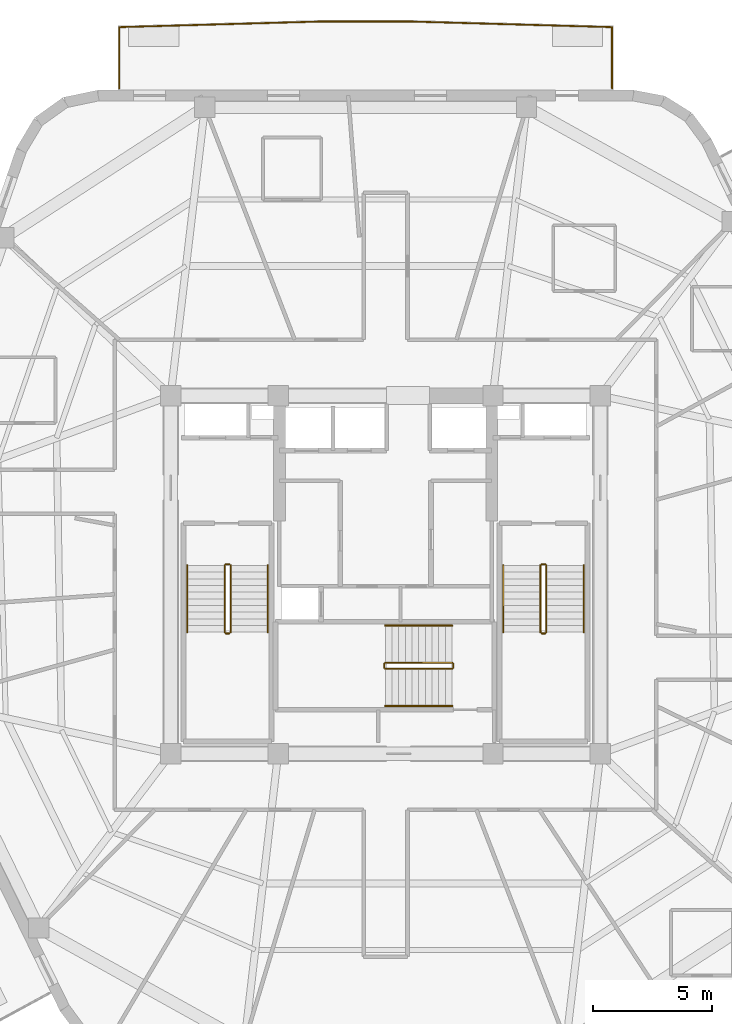
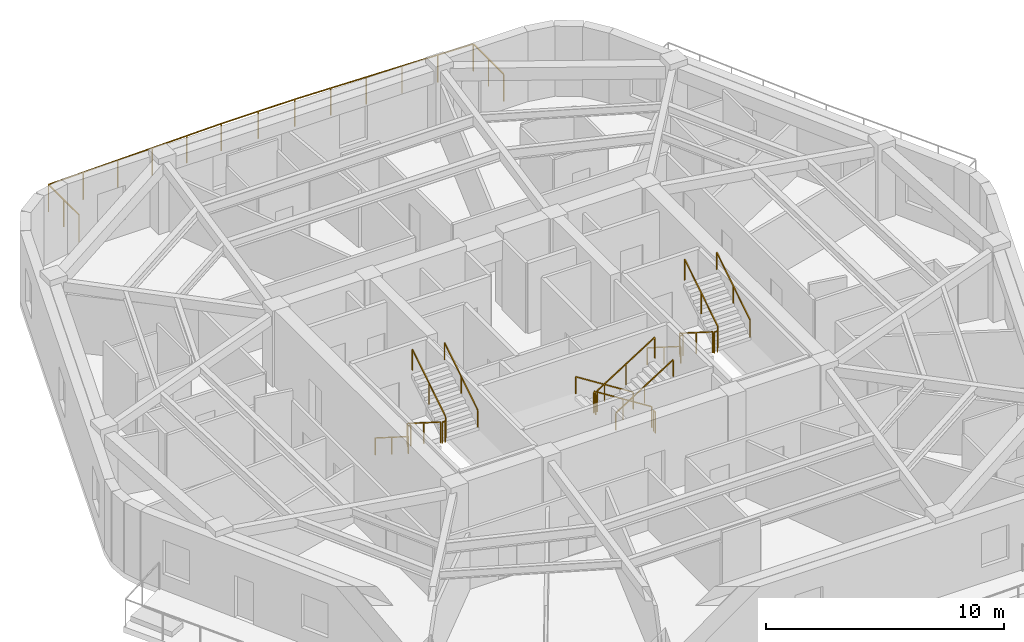
# One storey, part 8 of 9: 19 railings.
"""IFC4 building model written with IfcOpenShell, lengths in metres."""

from ifc_helpers import new_model, si_unit, direction, frame, origin, origin_2d, place, context, subcontext, project, spatial, rectangle, extrude, material, layer, layer_set, type_object, element, save


model = new_model("IFC4")

# Units and contexts
model_context = context("Model", 3, precision=1e-05, world=origin(), true_north=direction((0.0, 1.0)))
body_context = subcontext(model_context, "Body", "Model", "MODEL_VIEW")
ifc_project = project(units=[si_unit("LENGTHUNIT", "METRE"), si_unit("AREAUNIT", "SQUARE_METRE"), si_unit("VOLUMEUNIT", "CUBIC_METRE"), si_unit("PLANEANGLEUNIT", "RADIAN"), si_unit("MASSUNIT", "GRAM", prefix="KILO")], contexts=[model_context])

# Site, building, storey
site_placement = place(None, origin())
site = spatial("IfcSite", under=ifc_project, at=site_placement, CompositionType="ELEMENT")
building_placement = place(site_placement, origin())
building = spatial("IfcBuilding", under=site, at=building_placement, Name="Kilnhurst Terrace Hotel", CompositionType="ELEMENT")
storey_placement = place(building_placement, frame((0.0, 0.0, 280.800048828125)))
storey = spatial("IfcBuildingStorey", under=building, at=storey_placement, Name="L70", CompositionType="ELEMENT", Elevation=280.800048828125)

# Railings
ifc_material_1 = material(Name="Laminated SentryGlas and Stainless Steel AISI 316L Balustrade", Category="steel")
ifc_layer_1 = layer(ifc_material_1, 0.070068359375, Name="Laminated SentryGlas and Stainless Steel AISI 316L Balustrade")
ifc_layer_set_1 = layer_set([ifc_layer_1], Name="Laminated SentryGlas and Stainless Steel AISI 316L Balustrade")
railing_type_1 = type_object("IfcRailingType", Name="RLG-BAL-1420", PredefinedType="BALUSTRADE", material=ifc_layer_set_1)
railing_1_placement = place(storey_placement, frame((-11.151611328125, 20.3798828125, 0.0)))
element("IfcRailing", 1, at=railing_1_placement, inside=storey, type_object=railing_type_1, Name="L70 Exterior Terrace Guardrail BAL-L1B.1", PredefinedType="BALUSTRADE", context=body_context, shape_type="SweptSolid", body=[
    extrude(rectangle(XDim=0.048095703125, YDim=0.048095703125, at=origin_2d()), frame((0.0, 0.0, 1.39599609375), z_axis=(0.0, 1.0, 0.0), x_axis=(-1.0, 0.0, 0.0)), (0.0, 0.0, 1.0), 2.561767578125),
    extrude(rectangle(XDim=0.048095703125, YDim=0.048095703125, at=origin_2d()), frame((0.0, 2.561767578125, 1.39599609375), z_axis=(0.999610218954, 0.027917918323, 0.0), x_axis=(-0.027917918323, 0.999610218954, 0.0)), (0.0, 0.0, 1.0), 8.53515625),
    extrude(rectangle(XDim=0.048095703125, YDim=0.048095703125, at=origin_2d()), frame((8.53173828125, 2.800048828125, 1.39599609375), z_axis=(1.0, 0.0, 0.0), x_axis=(0.0, 1.0, 0.0)), (0.0, 0.0, 1.0), 3.577880859375),
    extrude(rectangle(XDim=0.048095703125, YDim=0.048095703125, at=origin_2d()), frame((12.109619140625, 2.800048828125, 1.39599609375), z_axis=(0.999610218954, -0.027917918323, 0.0), x_axis=(0.027917918323, 0.999610218954, 0.0)), (0.0, 0.0, 1.0), 8.53515625),
    extrude(rectangle(XDim=0.048095703125, YDim=0.048095703125, at=origin_2d()), frame((20.641357421875, 2.561767578125, 1.39599609375), z_axis=(0.0, -1.0, 0.0), x_axis=(1.0, 0.0, 0.0)), (0.0, 0.0, 1.0), 2.561767578125),
    extrude(rectangle(XDim=0.0419921875, YDim=0.0419921875, at=origin_2d()), origin(), (0.0, 0.0, 1.0), 1.371826171875),
    extrude(rectangle(XDim=0.0419921875, YDim=0.0419921875, at=origin_2d()), frame((0.0, 1.28076171875, 0.0)), (0.0, 0.0, 1.0), 1.371826171875),
    extrude(rectangle(XDim=0.0419921875, YDim=0.0419921875, at=origin_2d()), frame((0.0, 2.561767578125, 0.0)), (0.0, 0.0, 1.0), 1.371826171875),
    extrude(rectangle(XDim=0.0419921875, YDim=0.0419921875, at=origin_2d()), frame((1.706298828125, 2.609375, 0.0)), (0.0, 0.0, 1.0), 1.371826171875),
    extrude(rectangle(XDim=0.0419921875, YDim=0.0419921875, at=origin_2d()), frame((3.41259765625, 2.656982421875, 0.0)), (0.0, 0.0, 1.0), 1.371826171875),
    extrude(rectangle(XDim=0.0419921875, YDim=0.0419921875, at=origin_2d()), frame((5.119140625, 2.704833984375, 0.0)), (0.0, 0.0, 1.0), 1.371826171875),
    extrude(rectangle(XDim=0.0419921875, YDim=0.0419921875, at=origin_2d()), frame((6.825439453125, 2.75244140625, 0.0)), (0.0, 0.0, 1.0), 1.371826171875),
    extrude(rectangle(XDim=0.0419921875, YDim=0.0419921875, at=origin_2d()), frame((8.53173828125, 2.800048828125, 0.0)), (0.0, 0.0, 1.0), 1.371826171875),
    extrude(rectangle(XDim=0.0419921875, YDim=0.0419921875, at=origin_2d()), frame((10.32080078125, 2.800048828125, 0.0)), (0.0, 0.0, 1.0), 1.371826171875),
    extrude(rectangle(XDim=0.0419921875, YDim=0.0419921875, at=origin_2d()), frame((12.109619140625, 2.800048828125, 0.0)), (0.0, 0.0, 1.0), 1.371826171875),
    extrude(rectangle(XDim=0.0419921875, YDim=0.0419921875, at=origin_2d()), frame((13.81591796875, 2.75244140625, 0.0)), (0.0, 0.0, 1.0), 1.371826171875),
    extrude(rectangle(XDim=0.0419921875, YDim=0.0419921875, at=origin_2d()), frame((15.522216796875, 2.704833984375, 0.0)), (0.0, 0.0, 1.0), 1.371826171875),
    extrude(rectangle(XDim=0.0419921875, YDim=0.0419921875, at=origin_2d()), frame((17.228759765625, 2.656982421875, 0.0)), (0.0, 0.0, 1.0), 1.371826171875),
    extrude(rectangle(XDim=0.0419921875, YDim=0.0419921875, at=origin_2d()), frame((18.93505859375, 2.609375, 0.0)), (0.0, 0.0, 1.0), 1.371826171875),
    extrude(rectangle(XDim=0.0419921875, YDim=0.0419921875, at=origin_2d()), frame((20.641357421875, 2.561767578125, 0.0)), (0.0, 0.0, 1.0), 1.371826171875),
    extrude(rectangle(XDim=0.0419921875, YDim=0.0419921875, at=origin_2d()), frame((20.641357421875, 1.28076171875, 0.0)), (0.0, 0.0, 1.0), 1.371826171875),
    extrude(rectangle(XDim=0.0419921875, YDim=0.0419921875, at=origin_2d()), frame((20.641357421875, 0.0, 0.0)), (0.0, 0.0, 1.0), 1.371826171875),
])
ifc_material_2 = material(Name="Powder-Coated Steel ASTM A500 Grade B", Category="steel")
ifc_layer_2 = layer(ifc_material_2, 0.050048828125, Name="Powder-Coated Steel ASTM A500 Grade B")
ifc_layer_set_2 = layer_set([ifc_layer_2], Name="Powder-Coated Steel ASTM A500 Grade B")
railing_type_2 = type_object("IfcRailingType", Name="RLG-ST-GRD-1100", PredefinedType="GUARDRAIL", material=ifc_layer_set_2)
railing_2_placement = place(storey_placement, frame((-6.739990234375, 0.389892578125, 0.17724609375)))
element("IfcRailing", 2, at=railing_2_placement, inside=storey, type_object=railing_type_2, Name="L70 ST-1 stair guard 1", PredefinedType="GUARDRAIL", context=body_context, shape_type="SweptSolid", body=[
    extrude(rectangle(XDim=0.048095703125, YDim=0.048095703125, at=origin_2d()), frame((0.0, 0.0, 1.076171875), z_axis=(0.0, -0.844887892834, 0.53494340686), x_axis=(1.0, 0.0, 0.0)), (0.0, 0.0, 1.0), 3.313720703125),
    extrude(rectangle(XDim=0.0419921875, YDim=0.0419921875, at=origin_2d()), origin(), (0.0, 0.0, 1.0), 1.052001953125),
    extrude(rectangle(XDim=0.0419921875, YDim=0.0419921875, at=origin_2d()), frame((0.0, -1.39990234375, 0.88623046875)), (0.0, 0.0, 1.0), 1.052001953125),
    extrude(rectangle(XDim=0.0419921875, YDim=0.0419921875, at=origin_2d()), frame((0.0, -2.7998046875, 1.772705078125)), (0.0, 0.0, 1.0), 1.052001953125),
])
railing_3_placement = place(storey_placement, frame((-6.68994140625, -2.4599609375, 1.949951171875)))
element("IfcRailing", 3, at=railing_3_placement, inside=storey, type_object=railing_type_2, Name="L70 ST-1 stair guard 2", PredefinedType="GUARDRAIL", context=body_context, shape_type="SweptSolid", body=[
    extrude(rectangle(XDim=0.048095703125, YDim=0.048095703125, at=origin_2d()), frame((0.0, 0.0, 1.076171875), z_axis=(1.0, 0.0, 0.0), x_axis=(0.0, 1.0, 0.0)), (0.0, 0.0, 1.0), 0.14990234375),
    extrude(rectangle(XDim=0.0419921875, YDim=0.0419921875, at=origin_2d()), origin(), (0.0, 0.0, 1.0), 1.052001953125),
    extrude(rectangle(XDim=0.0419921875, YDim=0.0419921875, at=origin_2d()), frame((0.14990234375, 0.0, 0.0)), (0.0, 0.0, 1.0), 1.052001953125),
])
railing_4_placement = place(storey_placement, frame((-6.489990234375, -2.409912109375, 2.127197265625)))
element("IfcRailing", 4, at=railing_4_placement, inside=storey, type_object=railing_type_2, Name="L70 ST-1 stair guard 3", PredefinedType="GUARDRAIL", context=body_context, shape_type="SweptSolid", body=[
    extrude(rectangle(XDim=0.048095703125, YDim=0.048095703125, at=origin_2d()), frame((0.0, 0.0, 1.076171875), z_axis=(0.0, 0.844887892834, 0.53494340686), x_axis=(-1.0, 0.0, 0.0)), (0.0, 0.0, 1.0), 3.313720703125),
    extrude(rectangle(XDim=0.0419921875, YDim=0.0419921875, at=origin_2d()), origin(), (0.0, 0.0, 1.0), 1.052001953125),
    extrude(rectangle(XDim=0.0419921875, YDim=0.0419921875, at=origin_2d()), frame((0.0, 1.39990234375, 0.88623046875)), (0.0, 0.0, 1.0), 1.052001953125),
    extrude(rectangle(XDim=0.0419921875, YDim=0.0419921875, at=origin_2d()), frame((0.0, 2.7998046875, 1.772705078125)), (0.0, 0.0, 1.0), 1.052001953125),
])
railing_5_placement = place(storey_placement, frame((-6.68994140625, 0.43994140625, 0.0)))
element("IfcRailing", 5, at=railing_5_placement, inside=storey, type_object=railing_type_2, Name="L70 ST-1 stair guard 4", PredefinedType="GUARDRAIL", context=body_context, shape_type="SweptSolid", body=[
    extrude(rectangle(XDim=0.048095703125, YDim=0.048095703125, at=origin_2d()), frame((0.0, 0.0, 1.076171875), z_axis=(1.0, 0.0, 0.0), x_axis=(0.0, 1.0, 0.0)), (0.0, 0.0, 1.0), 0.14990234375),
    extrude(rectangle(XDim=0.0419921875, YDim=0.0419921875, at=origin_2d()), origin(), (0.0, 0.0, 1.0), 1.052001953125),
    extrude(rectangle(XDim=0.0419921875, YDim=0.0419921875, at=origin_2d()), frame((0.14990234375, 0.0, 0.0)), (0.0, 0.0, 1.0), 1.052001953125),
])
railing_6_placement = place(storey_placement, frame((6.489990234375, 0.389892578125, 0.17724609375)))
element("IfcRailing", 6, at=railing_6_placement, inside=storey, type_object=railing_type_2, Name="L70 ST-2 stair guard 1", PredefinedType="GUARDRAIL", context=body_context, shape_type="SweptSolid", body=[
    extrude(rectangle(XDim=0.048095703125, YDim=0.048095703125, at=origin_2d()), frame((0.0, 0.0, 1.076171875), z_axis=(0.0, -0.844887892834, 0.53494340686), x_axis=(1.0, 0.0, 0.0)), (0.0, 0.0, 1.0), 3.313720703125),
    extrude(rectangle(XDim=0.0419921875, YDim=0.0419921875, at=origin_2d()), origin(), (0.0, 0.0, 1.0), 1.052001953125),
    extrude(rectangle(XDim=0.0419921875, YDim=0.0419921875, at=origin_2d()), frame((0.0, -1.39990234375, 0.88623046875)), (0.0, 0.0, 1.0), 1.052001953125),
    extrude(rectangle(XDim=0.0419921875, YDim=0.0419921875, at=origin_2d()), frame((0.0, -2.7998046875, 1.772705078125)), (0.0, 0.0, 1.0), 1.052001953125),
])
railing_7_placement = place(storey_placement, frame((6.5400390625, -2.4599609375, 1.949951171875)))
element("IfcRailing", 7, at=railing_7_placement, inside=storey, type_object=railing_type_2, Name="L70 ST-2 stair guard 2", PredefinedType="GUARDRAIL", context=body_context, shape_type="SweptSolid", body=[
    extrude(rectangle(XDim=0.048095703125, YDim=0.048095703125, at=origin_2d()), frame((0.0, 0.0, 1.076171875), z_axis=(1.0, 0.0, 0.0), x_axis=(0.0, 1.0, 0.0)), (0.0, 0.0, 1.0), 0.14990234375),
    extrude(rectangle(XDim=0.0419921875, YDim=0.0419921875, at=origin_2d()), origin(), (0.0, 0.0, 1.0), 1.052001953125),
    extrude(rectangle(XDim=0.0419921875, YDim=0.0419921875, at=origin_2d()), frame((0.14990234375, 0.0, 0.0)), (0.0, 0.0, 1.0), 1.052001953125),
])
railing_8_placement = place(storey_placement, frame((6.739990234375, -2.409912109375, 2.127197265625)))
element("IfcRailing", 8, at=railing_8_placement, inside=storey, type_object=railing_type_2, Name="L70 ST-2 stair guard 3", PredefinedType="GUARDRAIL", context=body_context, shape_type="SweptSolid", body=[
    extrude(rectangle(XDim=0.048095703125, YDim=0.048095703125, at=origin_2d()), frame((0.0, 0.0, 1.076171875), z_axis=(0.0, 0.844887892834, 0.53494340686), x_axis=(-1.0, 0.0, 0.0)), (0.0, 0.0, 1.0), 3.313720703125),
    extrude(rectangle(XDim=0.0419921875, YDim=0.0419921875, at=origin_2d()), origin(), (0.0, 0.0, 1.0), 1.052001953125),
    extrude(rectangle(XDim=0.0419921875, YDim=0.0419921875, at=origin_2d()), frame((0.0, 1.39990234375, 0.88623046875)), (0.0, 0.0, 1.0), 1.052001953125),
    extrude(rectangle(XDim=0.0419921875, YDim=0.0419921875, at=origin_2d()), frame((0.0, 2.7998046875, 1.772705078125)), (0.0, 0.0, 1.0), 1.052001953125),
])
railing_9_placement = place(storey_placement, frame((6.5400390625, 0.43994140625, 0.0)))
element("IfcRailing", 9, at=railing_9_placement, inside=storey, type_object=railing_type_2, Name="L70 ST-2 stair guard 4", PredefinedType="GUARDRAIL", context=body_context, shape_type="SweptSolid", body=[
    extrude(rectangle(XDim=0.048095703125, YDim=0.048095703125, at=origin_2d()), frame((0.0, 0.0, 1.076171875), z_axis=(1.0, 0.0, 0.0), x_axis=(0.0, 1.0, 0.0)), (0.0, 0.0, 1.0), 0.14990234375),
    extrude(rectangle(XDim=0.0419921875, YDim=0.0419921875, at=origin_2d()), origin(), (0.0, 0.0, 1.0), 1.052001953125),
    extrude(rectangle(XDim=0.0419921875, YDim=0.0419921875, at=origin_2d()), frame((0.14990234375, 0.0, 0.0)), (0.0, 0.0, 1.0), 1.052001953125),
])
railing_10_placement = place(storey_placement, frame((2.7900390625, -3.68994140625, 0.17724609375)))
element("IfcRailing", 10, at=railing_10_placement, inside=storey, type_object=railing_type_2, Name="L70 ST-3 stair guard 1", PredefinedType="GUARDRAIL", context=body_context, shape_type="SweptSolid", body=[
    extrude(rectangle(XDim=0.048095703125, YDim=0.048095703125, at=origin_2d()), frame((0.0, 0.0, 1.076171875), z_axis=(-0.844908973607, 0.0, 0.534910110503), x_axis=(0.0, -1.0, 0.0)), (0.0, 0.0, 1.0), 3.31396484375),
    extrude(rectangle(XDim=0.0419921875, YDim=0.0419921875, at=origin_2d()), origin(), (0.0, 0.0, 1.0), 1.052001953125),
    extrude(rectangle(XDim=0.0419921875, YDim=0.0419921875, at=origin_2d()), frame((-1.39990234375, 0.0, 0.88623046875)), (0.0, 0.0, 1.0), 1.052001953125),
    extrude(rectangle(XDim=0.0419921875, YDim=0.0419921875, at=origin_2d()), frame((-2.800048828125, 0.0, 1.772705078125)), (0.0, 0.0, 1.0), 1.052001953125),
])
railing_11_placement = place(storey_placement, frame((-0.06005859375, -3.739990234375, 1.949951171875)))
element("IfcRailing", 11, at=railing_11_placement, inside=storey, type_object=railing_type_2, Name="L70 ST-3 stair guard 2", PredefinedType="GUARDRAIL", context=body_context, shape_type="SweptSolid", body=[
    extrude(rectangle(XDim=0.048095703125, YDim=0.048095703125, at=origin_2d()), frame((0.0, 0.0, 1.076171875), z_axis=(0.0, -1.0, 0.0), x_axis=(1.0, 0.0, 0.0)), (0.0, 0.0, 1.0), 0.14990234375),
    extrude(rectangle(XDim=0.0419921875, YDim=0.0419921875, at=origin_2d()), origin(), (0.0, 0.0, 1.0), 1.052001953125),
    extrude(rectangle(XDim=0.0419921875, YDim=0.0419921875, at=origin_2d()), frame((0.0, -0.14990234375, 0.0)), (0.0, 0.0, 1.0), 1.052001953125),
])
railing_12_placement = place(storey_placement, frame((-0.010009765625, -3.93994140625, 2.127197265625)))
element("IfcRailing", 12, at=railing_12_placement, inside=storey, type_object=railing_type_2, Name="L70 ST-3 stair guard 3", PredefinedType="GUARDRAIL", context=body_context, shape_type="SweptSolid", body=[
    extrude(rectangle(XDim=0.048095703125, YDim=0.048095703125, at=origin_2d()), frame((0.0, 0.0, 1.076171875), z_axis=(0.844908973607, 0.0, 0.534910110503), x_axis=(0.0, 1.0, 0.0)), (0.0, 0.0, 1.0), 3.31396484375),
    extrude(rectangle(XDim=0.0419921875, YDim=0.0419921875, at=origin_2d()), origin(), (0.0, 0.0, 1.0), 1.052001953125),
    extrude(rectangle(XDim=0.0419921875, YDim=0.0419921875, at=origin_2d()), frame((1.39990234375, 0.0, 0.88623046875)), (0.0, 0.0, 1.0), 1.052001953125),
    extrude(rectangle(XDim=0.0419921875, YDim=0.0419921875, at=origin_2d()), frame((2.800048828125, 0.0, 1.772705078125)), (0.0, 0.0, 1.0), 1.052001953125),
])
railing_13_placement = place(storey_placement, frame((2.840087890625, -3.739990234375, 0.0)))
element("IfcRailing", 13, at=railing_13_placement, inside=storey, type_object=railing_type_2, Name="L70 ST-3 stair guard 4", PredefinedType="GUARDRAIL", context=body_context, shape_type="SweptSolid", body=[
    extrude(rectangle(XDim=0.048095703125, YDim=0.048095703125, at=origin_2d()), frame((0.0, 0.0, 1.076171875), z_axis=(0.0, -1.0, 0.0), x_axis=(1.0, 0.0, 0.0)), (0.0, 0.0, 1.0), 0.14990234375),
    extrude(rectangle(XDim=0.0419921875, YDim=0.0419921875, at=origin_2d()), origin(), (0.0, 0.0, 1.0), 1.052001953125),
    extrude(rectangle(XDim=0.0419921875, YDim=0.0419921875, at=origin_2d()), frame((0.0, -0.14990234375, 0.0)), (0.0, 0.0, 1.0), 1.052001953125),
])
ifc_material_3 = material(Name="Brushed Stainless Steel AISI 304", Category="steel")
ifc_layer_3 = layer(ifc_material_3, 0.048095703125, Name="Brushed Stainless Steel AISI 304")
ifc_layer_set_3 = layer_set([ifc_layer_3], Name="Brushed Stainless Steel AISI 304")
railing_type_3 = type_object("IfcRailingType", Name="RLG-ST-HRL-900", PredefinedType="HANDRAIL", material=ifc_layer_set_3)
railing_14_placement = place(storey_placement, frame((-8.300048828125, 0.389892578125, 0.17724609375)))
element("IfcRailing", 14, at=railing_14_placement, inside=storey, type_object=railing_type_3, Name="L70 ST-1 stair handrail 1", PredefinedType="HANDRAIL", context=body_context, shape_type="SweptSolid", body=[
    extrude(rectangle(XDim=0.048095703125, YDim=0.048095703125, at=origin_2d()), frame((0.0, 0.0, 0.8759765625), z_axis=(0.0, -0.844887892834, 0.53494340686), x_axis=(1.0, 0.0, 0.0)), (0.0, 0.0, 1.0), 3.313720703125),
    extrude(rectangle(XDim=0.0419921875, YDim=0.0419921875, at=origin_2d()), origin(), (0.0, 0.0, 1.0), 0.851806640625),
    extrude(rectangle(XDim=0.0419921875, YDim=0.0419921875, at=origin_2d()), frame((0.0, -1.39990234375, 0.88623046875)), (0.0, 0.0, 1.0), 0.851806640625),
    extrude(rectangle(XDim=0.0419921875, YDim=0.0419921875, at=origin_2d()), frame((0.0, -2.7998046875, 1.772705078125)), (0.0, 0.0, 1.0), 0.851806640625),
])
railing_15_placement = place(storey_placement, frame((-4.929931640625, -2.409912109375, 2.127197265625)))
element("IfcRailing", 15, at=railing_15_placement, inside=storey, type_object=railing_type_3, Name="L70 ST-1 stair handrail 2", PredefinedType="HANDRAIL", context=body_context, shape_type="SweptSolid", body=[
    extrude(rectangle(XDim=0.048095703125, YDim=0.048095703125, at=origin_2d()), frame((0.0, 0.0, 0.8759765625), z_axis=(0.0, 0.844887892834, 0.53494340686), x_axis=(-1.0, 0.0, 0.0)), (0.0, 0.0, 1.0), 3.313720703125),
    extrude(rectangle(XDim=0.0419921875, YDim=0.0419921875, at=origin_2d()), origin(), (0.0, 0.0, 1.0), 0.851806640625),
    extrude(rectangle(XDim=0.0419921875, YDim=0.0419921875, at=origin_2d()), frame((0.0, 1.39990234375, 0.88623046875)), (0.0, 0.0, 1.0), 0.851806640625),
    extrude(rectangle(XDim=0.0419921875, YDim=0.0419921875, at=origin_2d()), frame((0.0, 2.7998046875, 1.772705078125)), (0.0, 0.0, 1.0), 0.851806640625),
])
railing_16_placement = place(storey_placement, frame((4.929931640625, 0.389892578125, 0.17724609375)))
element("IfcRailing", 16, at=railing_16_placement, inside=storey, type_object=railing_type_3, Name="L70 ST-2 stair handrail 1", PredefinedType="HANDRAIL", context=body_context, shape_type="SweptSolid", body=[
    extrude(rectangle(XDim=0.048095703125, YDim=0.048095703125, at=origin_2d()), frame((0.0, 0.0, 0.8759765625), z_axis=(0.0, -0.844887892834, 0.53494340686), x_axis=(1.0, 0.0, 0.0)), (0.0, 0.0, 1.0), 3.313720703125),
    extrude(rectangle(XDim=0.0419921875, YDim=0.0419921875, at=origin_2d()), origin(), (0.0, 0.0, 1.0), 0.851806640625),
    extrude(rectangle(XDim=0.0419921875, YDim=0.0419921875, at=origin_2d()), frame((0.0, -1.39990234375, 0.88623046875)), (0.0, 0.0, 1.0), 0.851806640625),
    extrude(rectangle(XDim=0.0419921875, YDim=0.0419921875, at=origin_2d()), frame((0.0, -2.7998046875, 1.772705078125)), (0.0, 0.0, 1.0), 0.851806640625),
])
railing_17_placement = place(storey_placement, frame((8.300048828125, -2.409912109375, 2.127197265625)))
element("IfcRailing", 17, at=railing_17_placement, inside=storey, type_object=railing_type_3, Name="L70 ST-2 stair handrail 2", PredefinedType="HANDRAIL", context=body_context, shape_type="SweptSolid", body=[
    extrude(rectangle(XDim=0.048095703125, YDim=0.048095703125, at=origin_2d()), frame((0.0, 0.0, 0.8759765625), z_axis=(0.0, 0.844887892834, 0.53494340686), x_axis=(-1.0, 0.0, 0.0)), (0.0, 0.0, 1.0), 3.313720703125),
    extrude(rectangle(XDim=0.0419921875, YDim=0.0419921875, at=origin_2d()), origin(), (0.0, 0.0, 1.0), 0.851806640625),
    extrude(rectangle(XDim=0.0419921875, YDim=0.0419921875, at=origin_2d()), frame((0.0, 1.39990234375, 0.88623046875)), (0.0, 0.0, 1.0), 0.851806640625),
    extrude(rectangle(XDim=0.0419921875, YDim=0.0419921875, at=origin_2d()), frame((0.0, 2.7998046875, 1.772705078125)), (0.0, 0.0, 1.0), 0.851806640625),
])
railing_18_placement = place(storey_placement, frame((2.7900390625, -2.1298828125, 0.17724609375)))
element("IfcRailing", 18, at=railing_18_placement, inside=storey, type_object=railing_type_3, Name="L70 ST-3 stair handrail 1", PredefinedType="HANDRAIL", context=body_context, shape_type="SweptSolid", body=[
    extrude(rectangle(XDim=0.048095703125, YDim=0.048095703125, at=origin_2d()), frame((0.0, 0.0, 0.8759765625), z_axis=(-0.844908973607, 0.0, 0.534910110503), x_axis=(0.0, -1.0, 0.0)), (0.0, 0.0, 1.0), 3.31396484375),
    extrude(rectangle(XDim=0.0419921875, YDim=0.0419921875, at=origin_2d()), origin(), (0.0, 0.0, 1.0), 0.851806640625),
    extrude(rectangle(XDim=0.0419921875, YDim=0.0419921875, at=origin_2d()), frame((-1.39990234375, 0.0, 0.88623046875)), (0.0, 0.0, 1.0), 0.851806640625),
    extrude(rectangle(XDim=0.0419921875, YDim=0.0419921875, at=origin_2d()), frame((-2.800048828125, 0.0, 1.772705078125)), (0.0, 0.0, 1.0), 0.851806640625),
])
railing_19_placement = place(storey_placement, frame((-0.010009765625, -5.5, 2.127197265625)))
element("IfcRailing", 19, at=railing_19_placement, inside=storey, type_object=railing_type_3, Name="L70 ST-3 stair handrail 2", PredefinedType="HANDRAIL", context=body_context, shape_type="SweptSolid", body=[
    extrude(rectangle(XDim=0.048095703125, YDim=0.048095703125, at=origin_2d()), frame((0.0, 0.0, 0.8759765625), z_axis=(0.844908973607, 0.0, 0.534910110503), x_axis=(0.0, 1.0, 0.0)), (0.0, 0.0, 1.0), 3.31396484375),
    extrude(rectangle(XDim=0.0419921875, YDim=0.0419921875, at=origin_2d()), origin(), (0.0, 0.0, 1.0), 0.851806640625),
    extrude(rectangle(XDim=0.0419921875, YDim=0.0419921875, at=origin_2d()), frame((1.39990234375, 0.0, 0.88623046875)), (0.0, 0.0, 1.0), 0.851806640625),
    extrude(rectangle(XDim=0.0419921875, YDim=0.0419921875, at=origin_2d()), frame((2.800048828125, 0.0, 1.772705078125)), (0.0, 0.0, 1.0), 0.851806640625),
])

save(model, "model.ifc")
